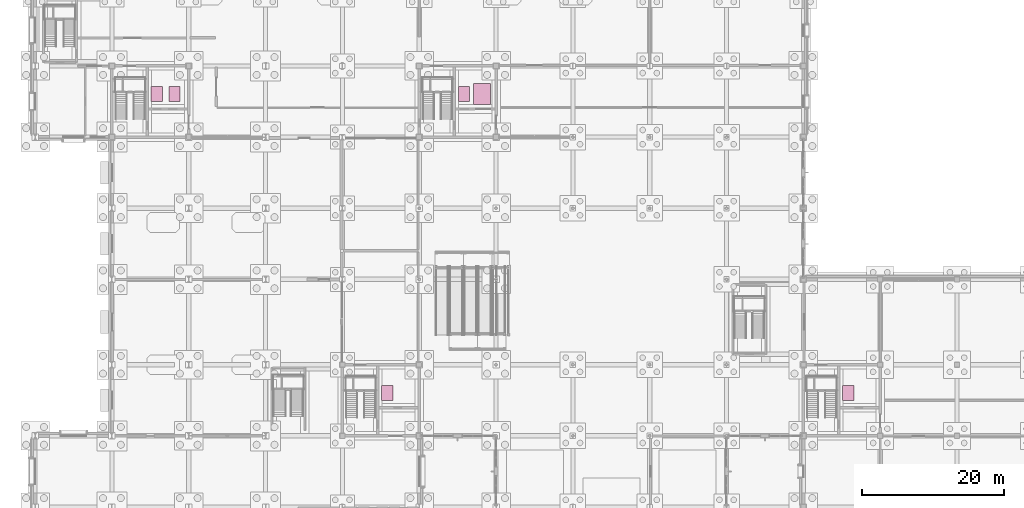
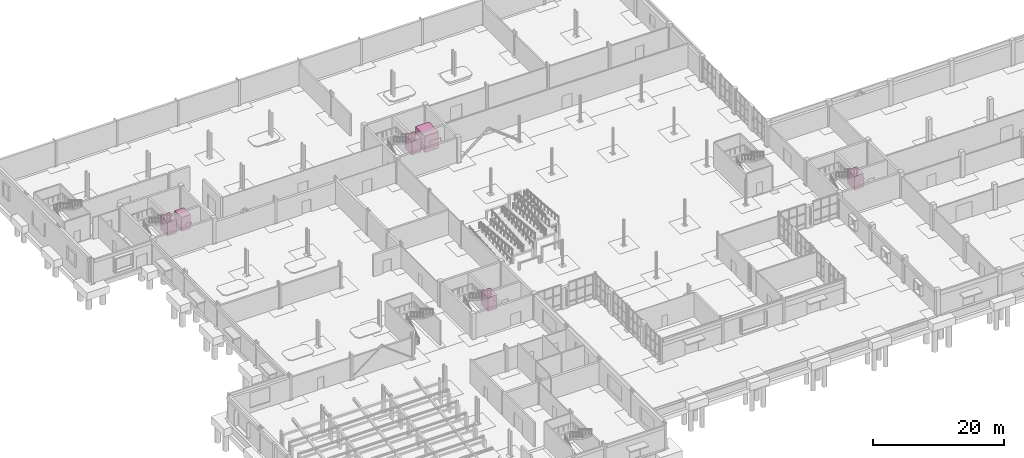
# One storey, part 73 of 73: 6 transport elements.
"""IFC4 building model written with IfcOpenShell, lengths in metres."""

from ifc_helpers import new_model, si_unit, direction, frame, origin, origin_2d, place, context, subcontext, project, spatial, rectangle, extrude, material, type_object, element, save


model = new_model("IFC4")

# Units and contexts
model_context = context("Model", 3, precision=1e-05, world=origin(), true_north=direction((0.0, 1.0)))
body_context = subcontext(model_context, "Body", "Model", "MODEL_VIEW")
ifc_project = project(units=[si_unit("LENGTHUNIT", "METRE"), si_unit("AREAUNIT", "SQUARE_METRE"), si_unit("VOLUMEUNIT", "CUBIC_METRE"), si_unit("PLANEANGLEUNIT", "RADIAN"), si_unit("MASSUNIT", "GRAM", prefix="KILO")], contexts=[model_context])

# Site, building, storey
site_placement = place(None, origin())
site = spatial("IfcSite", under=ifc_project, at=site_placement, CompositionType="ELEMENT")
building_placement = place(site_placement, origin())
building = spatial("IfcBuilding", under=site, at=building_placement, Name="Tasgan Crest Museum", CompositionType="ELEMENT")
storey_placement = place(building_placement, origin())
storey = spatial("IfcBuildingStorey", under=building, at=storey_placement, Name="L00", CompositionType="ELEMENT", Elevation=0.0)

# Transport elements
ifc_material_1 = material(Name="Stainless Steel Lift Car", Category="steel")
transport_element_type_1 = type_object("IfcTransportElementType", Name="LIFT-FF-1600", PredefinedType="ELEVATOR", material=ifc_material_1)
for number, where, z_axis, x_axis, name in (
    (1, (17.10009765625, 88.050048828125, 0.0), (0.0, 0.0, 1.0), (1.0, 0.0, 0.0), "Firefighting Lift FL1"),
    (2, (60.300048828125, 88.050048828125, 0.0), (0.0, 0.0, 1.0), (1.0, 0.0, 0.0), "Firefighting Lift FL2"),
):
    element("IfcTransportElement", number, at=place(storey_placement, frame(where, z_axis=z_axis, x_axis=x_axis)), inside=storey, type_object=transport_element_type_1, Name=name, PredefinedType="ELEVATOR", context=body_context, shape_type="SweptSolid", body=[
        extrude(rectangle(XDim=1.60009765625, YDim=2.10009765625, at=origin_2d()), origin(), (0.0, 0.0, 1.0), 2.60009765625),
    ])
ifc_material_2 = material(Name="Heavy-Duty Steel Goods Lift Car", Category="steel")
transport_element_type_2 = type_object("IfcTransportElementType", Name="LIFT-GOODS-5000", PredefinedType="ELEVATOR", material=ifc_material_2)
transport_element_placement = place(storey_placement, frame((62.800048828125, 88.050048828125, 0.0), z_axis=(0.0, 0.0, 1.0), x_axis=(1.0, 0.0, 0.0)))
element("IfcTransportElement", 3, at=transport_element_placement, inside=storey, type_object=transport_element_type_2, Name="Goods Lift GL1", PredefinedType="ELEVATOR", context=body_context, shape_type="SweptSolid", body=[
    extrude(rectangle(XDim=2.39990234375, YDim=3.0, at=origin_2d()), origin(), (0.0, 0.0, 1.0), 3.10009765625),
])
ifc_material_3 = material(Name="Brushed Bronze Lift Car")
transport_element_type_3 = type_object("IfcTransportElementType", Name="LIFT-PAX-1600", PredefinedType="ELEVATOR", material=ifc_material_3)
for number, where, z_axis, x_axis, name in (
    (4, (19.60009765625, 88.050048828125, 0.0), (0.0, 0.0, 1.0), (1.0, 0.0, 0.0), "Passenger Lift PL1"),
    (5, (114.300048828125, 46.050048828125, 0.0), (0.0, 0.0, 1.0), (1.0, 0.0, 0.0), "Passenger Lift PL2"),
    (6, (49.5, 46.050048828125, 0.0), (0.0, 0.0, 1.0), (1.0, 0.0, 0.0), "Passenger Lift PL3"),
):
    element("IfcTransportElement", number, at=place(storey_placement, frame(where, z_axis=z_axis, x_axis=x_axis)), inside=storey, type_object=transport_element_type_3, Name=name, PredefinedType="ELEVATOR", context=body_context, shape_type="SweptSolid", body=[
        extrude(rectangle(XDim=1.60009765625, YDim=2.10009765625, at=origin_2d()), origin(), (0.0, 0.0, 1.0), 2.60009765625),
    ])

save(model, "model.ifc")
